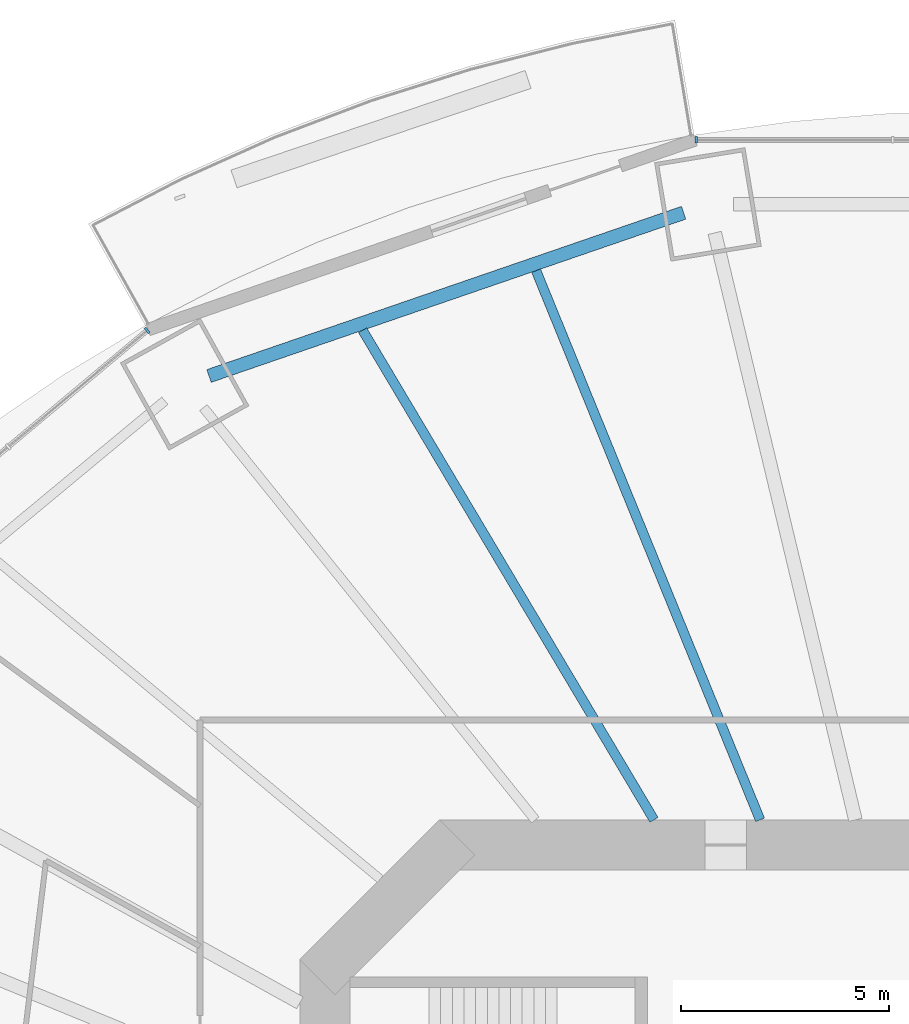
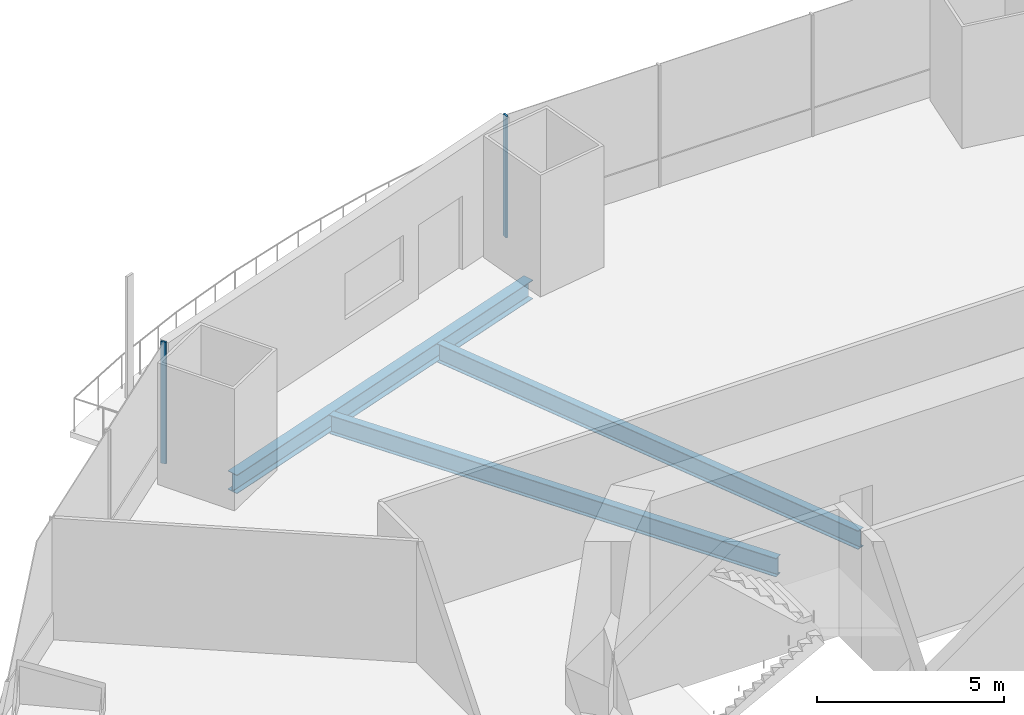
# One storey, part 7 of 23: 3 beams, 2 members, 2 elements without a shape of their own.
"""IFC4 building model written with IfcOpenShell, lengths in metres."""

from ifc_helpers import new_model, si_unit, direction, frame, origin, origin_2d, place, context, subcontext, project, spatial, rectangle, i_section, extrude, material, material_profile, profile_set, type_object, element, aggregate, save


model = new_model("IFC4")

# Units and contexts
model_context = context("Model", 3, precision=1e-05, world=origin(), true_north=direction((0.0, 1.0)))
body_context = subcontext(model_context, "Body", "Model", "MODEL_VIEW")
ifc_project = project(units=[si_unit("LENGTHUNIT", "METRE"), si_unit("AREAUNIT", "SQUARE_METRE"), si_unit("VOLUMEUNIT", "CUBIC_METRE"), si_unit("PLANEANGLEUNIT", "RADIAN"), si_unit("MASSUNIT", "GRAM", prefix="KILO")], contexts=[model_context])

# Site, building, storey
site_placement = place(None, origin())
site = spatial("IfcSite", under=ifc_project, at=site_placement, CompositionType="ELEMENT")
building_placement = place(site_placement, origin())
building = spatial("IfcBuilding", under=site, at=building_placement, Name="Marenthal Gate Tower", CompositionType="ELEMENT")
storey_placement = place(building_placement, frame((0.0, 0.0, 45.449951171875)))
storey = spatial("IfcBuildingStorey", under=building, at=storey_placement, Name="L07", CompositionType="ELEMENT", Elevation=45.449951171875)

# Curtain wall, member
ifc_material_1 = material(Name="Aluminium and glass", Category="aluminium")
curtain_wall_type = type_object("IfcCurtainWallType", Name="Curtain wall typical low", PredefinedType="NOTDEFINED", material=ifc_material_1)
curtain_wall_1_placement = place(storey_placement, origin())
curtain_wall_1 = element("IfcCurtainWall", 1, at=curtain_wall_1_placement, inside=storey, type_object=curtain_wall_type, Name="Curtain wall L07 bay 4", PredefinedType="NOTDEFINED")
ifc_material_2 = material(Name="Aluminium", Category="aluminium")
ifc_material_profile_1 = material_profile(ifc_material_2, rectangle(XDim=0.159912109375, YDim=0.06005859375, at=origin_2d()), Name="60x160 aluminium mullion")
ifc_profile_set_1 = profile_set([ifc_material_profile_1], Name="Aluminium")
member_type = type_object("IfcMemberType", Name="Mullion 60x160 typical low", PredefinedType="MULLION", material=ifc_profile_set_1)
member_1_placement = place(storey_placement, frame((-7.07861328125, 29.9287109375, 0.0), z_axis=(0.0, 0.0, 1.0), x_axis=(0.0, -1.0, 0.0)))
member_1 = element("IfcMember", 2, at=member_1_placement, type_object=member_type, Name="Mullion L07 bay 4.4", PredefinedType="MULLION", context=body_context, shape_type="SweptSolid", body=[
    extrude(rectangle(XDim=0.159912109375, YDim=0.06005859375, at=origin_2d()), origin(), (0.0, 0.0, 1.0), 3.969970703125),
])
aggregate(curtain_wall_1, [member_1])

curtain_wall_2_placement = place(storey_placement, origin())
curtain_wall_2 = element("IfcCurtainWall", 3, at=curtain_wall_2_placement, inside=storey, type_object=curtain_wall_type, Name="Curtain wall L07 bay 6", PredefinedType="NOTDEFINED")
member_2_placement = place(storey_placement, frame((-20.266845703125, 25.35302734375, 0.0), z_axis=(0.0, 0.0, 1.0), x_axis=(0.642047277641, -0.766665046336, 0.0)))
member_2 = element("IfcMember", 4, at=member_2_placement, type_object=member_type, Name="Mullion L07 bay 6.1", PredefinedType="MULLION", context=body_context, shape_type="SweptSolid", body=[
    extrude(rectangle(XDim=0.159912109375, YDim=0.06005859375, at=origin_2d()), origin(), (0.0, 0.0, 1.0), 3.969970703125),
])
aggregate(curtain_wall_2, [member_2])

# Beams
ifc_material_3 = material(Name="Steel S355", Category="steel")
ifc_material_profile_2 = material_profile(ifc_material_3, i_section(OverallWidth=0.22900390625, OverallDepth=0.612060546875, WebThickness=0.011962890625, FlangeThickness=0.01953125, FilletRadius=0.0126953125, at=origin_2d()), Name="W610X125")
ifc_profile_set_2 = profile_set([ifc_material_profile_2], Name="Steel S355")
beam_type_1 = type_object("IfcBeamType", Name="W610X125 beam", PredefinedType="BEAM", material=ifc_profile_set_2)
beam_1_placement = place(storey_placement, frame((-10.927490234375, 26.7880859375, -0.48583984375), z_axis=(0.377703578377, -0.925926566679, 0.0), x_axis=(0.925926566679, 0.377703578377, 0.0)))
element("IfcBeam", 5, at=beam_1_placement, inside=storey, type_object=beam_type_1, Name="BM-L07-23", PredefinedType="BEAM", context=body_context, shape_type="SweptSolid", body=[
    extrude(i_section(OverallWidth=0.22900390625, OverallDepth=0.612060546875, WebThickness=0.011962890625, FlangeThickness=0.01953125, FilletRadius=0.0126953125, at=origin_2d()), origin(), (0.0, 0.0, 1.0), 14.242919921875),
])
beam_2_placement = place(storey_placement, frame((-15.0927734375, 25.356201171875, -0.48583984375), z_axis=(0.511477271469, -0.859296805982, 0.0), x_axis=(0.859296805982, 0.511477271469, 0.0)))
element("IfcBeam", 6, at=beam_2_placement, inside=storey, type_object=beam_type_1, Name="BM-L07-24", PredefinedType="BEAM", context=body_context, shape_type="SweptSolid", body=[
    extrude(i_section(OverallWidth=0.22900390625, OverallDepth=0.612060546875, WebThickness=0.011962890625, FlangeThickness=0.01953125, FilletRadius=0.0126953125, at=origin_2d()), origin(), (0.0, 0.0, 1.0), 13.68115234375),
])
ifc_material_4 = material(Name="Steel S355", Category="steel")
ifc_material_profile_3 = material_profile(ifc_material_4, i_section(OverallWidth=0.324951171875, OverallDepth=0.612060546875, WebThickness=0.0126953125, FlangeThickness=0.01904296875, FilletRadius=0.0126953125, at=origin_2d()), Name="W610X155")
ifc_profile_set_3 = profile_set([ifc_material_profile_3], Name="Steel S355")
beam_type_2 = type_object("IfcBeamType", Name="W610X155 beam", PredefinedType="BEAM", material=ifc_profile_set_3)
beam_3_placement = place(storey_placement, frame((-7.3828125, 28.178955078125, -0.48583984375), z_axis=(-0.945659940371, -0.325157311431, 0.0), x_axis=(0.325157311431, -0.945659940371, 0.0)))
element("IfcBeam", 7, at=beam_3_placement, inside=storey, type_object=beam_type_2, Name="BM-L07-45", PredefinedType="BEAM", context=body_context, shape_type="SweptSolid", body=[
    extrude(i_section(OverallWidth=0.324951171875, OverallDepth=0.612060546875, WebThickness=0.0126953125, FlangeThickness=0.01904296875, FilletRadius=0.0126953125, at=origin_2d()), origin(), (0.0, 0.0, 1.0), 12.0546875),
])

save(model, "model.ifc")
